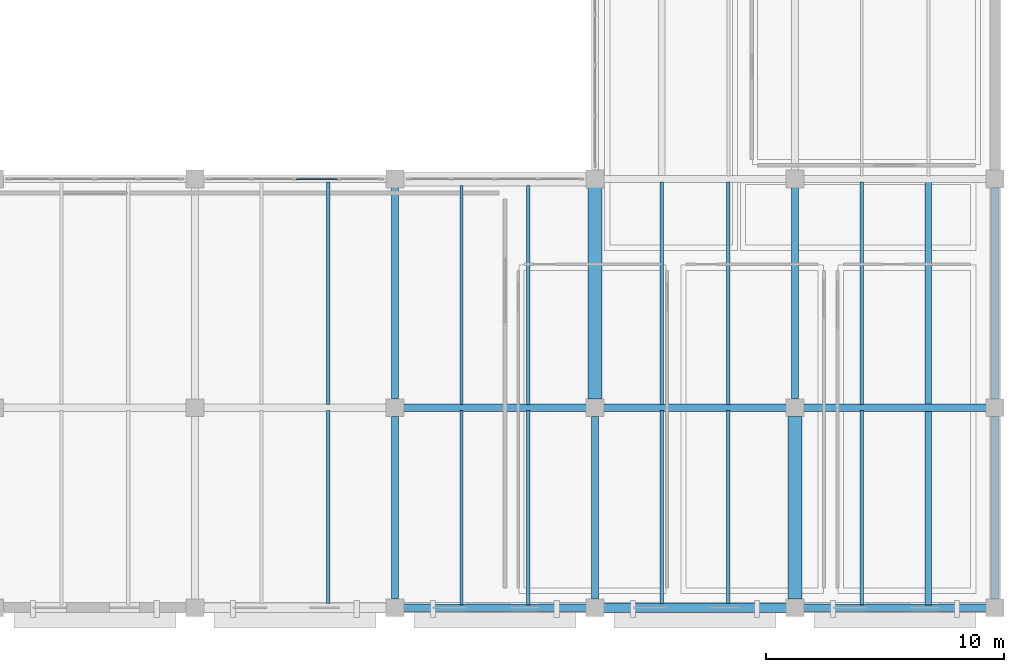
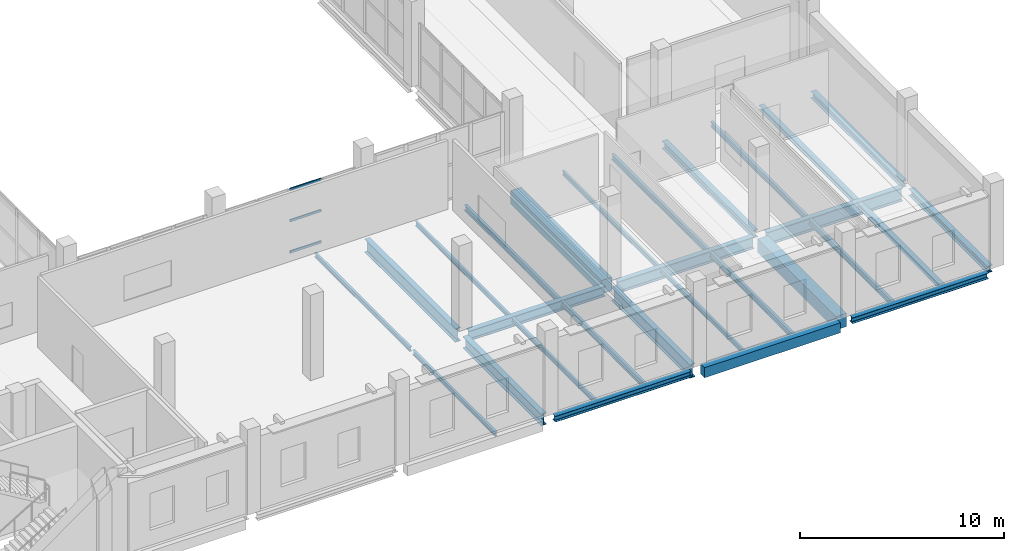
# One storey, part 39 of 77: 28 beams, 3 members, 1 element without a shape of its own.
"""IFC4 building model written with IfcOpenShell, lengths in metres."""

from ifc_helpers import new_model, si_unit, direction, frame, origin, origin_2d, place, context, subcontext, project, spatial, rectangle, hollow_rectangle, i_section, extrude, material, layer, layer_set, material_profile, profile_set, type_object, element, aggregate, save


model = new_model("IFC4")

# Units and contexts
model_context = context("Model", 3, precision=1e-05, world=origin(), true_north=direction((0.0, 1.0)))
body_context = subcontext(model_context, "Body", "Model", "MODEL_VIEW")
ifc_project = project(units=[si_unit("LENGTHUNIT", "METRE"), si_unit("AREAUNIT", "SQUARE_METRE"), si_unit("VOLUMEUNIT", "CUBIC_METRE"), si_unit("PLANEANGLEUNIT", "RADIAN"), si_unit("MASSUNIT", "GRAM", prefix="KILO")], contexts=[model_context])

# Site, building, storey
site_placement = place(None, origin())
site = spatial("IfcSite", under=ifc_project, at=site_placement, CompositionType="ELEMENT")
building_placement = place(site_placement, origin())
building = spatial("IfcBuilding", under=site, at=building_placement, Name="Zulmaris Art Gallery", CompositionType="ELEMENT")
storey_placement = place(building_placement, frame((0.0, 0.0, 15.60009765625)))
storey = spatial("IfcBuildingStorey", under=building, at=storey_placement, Name="L03", CompositionType="ELEMENT", Elevation=15.60009765625)

# Beams
ifc_material_1 = material(Name="Steel S355J2", Category="steel")
ifc_material_profile_1 = material_profile(ifc_material_1, i_section(OverallWidth=0.300048828125, OverallDepth=0.43994140625, WebThickness=0.011474609375, FlangeThickness=0.02099609375, FilletRadius=0.027099609375, at=origin_2d()), Name="HEA 450")
ifc_profile_set_1 = profile_set([ifc_material_profile_1], Name="Steel S355J2")
beam_type_1 = type_object("IfcBeamType", Name="BEAM-BM10", PredefinedType="BEAM", material=ifc_profile_set_1)
beam_1_placement = place(storey_placement, frame((192.0, 21.9599609375, -0.6201171875), z_axis=(0.0, 1.0, 0.0), x_axis=(-1.0, 0.0, 0.0)))
element("IfcBeam", 1, at=beam_1_placement, inside=storey, type_object=beam_type_1, Name="L03 Y-girder (x=192.0, 21.6..31.2)", PredefinedType="BEAM", context=body_context, shape_type="SweptSolid", body=[
    extrude(i_section(OverallWidth=0.300048828125, OverallDepth=0.43994140625, WebThickness=0.011474609375, FlangeThickness=0.02099609375, FilletRadius=0.027099609375, at=origin_2d()), origin(), (0.0, 0.0, 1.0), 8.880126953125),
])
ifc_material_profile_2 = material_profile(ifc_material_1, i_section(OverallWidth=0.300048828125, OverallDepth=0.60009765625, WebThickness=0.015380859375, FlangeThickness=0.030029296875, FilletRadius=0.027099609375, at=origin_2d()), Name="HEB 600")
ifc_profile_set_2 = profile_set([ifc_material_profile_2], Name="Steel S355J2")
beam_type_2 = type_object("IfcBeamType", Name="BEAM-BM15", PredefinedType="BEAM", material=ifc_profile_set_2)
beam_2_placement = place(storey_placement, frame((175.56005859375, 21.60009765625, -0.670166015625), z_axis=(1.0, 0.0, 0.0), x_axis=(0.0, 1.0, 0.0)))
element("IfcBeam", 2, at=beam_2_placement, inside=storey, type_object=beam_type_2, Name="L03 X-girder (175.2..183.6, y=21.6)", PredefinedType="BEAM", context=body_context, shape_type="SweptSolid", body=[
    extrude(i_section(OverallWidth=0.300048828125, OverallDepth=0.60009765625, WebThickness=0.015380859375, FlangeThickness=0.030029296875, FilletRadius=0.027099609375, at=origin_2d()), origin(), (0.0, 0.0, 1.0), 7.679931640625),
])
ifc_material_profile_3 = material_profile(ifc_material_1, i_section(OverallWidth=0.300048828125, OverallDepth=0.699951171875, WebThickness=0.01708984375, FlangeThickness=0.031982421875, FilletRadius=0.027099609375, at=origin_2d()), Name="HEB 700")
ifc_profile_set_3 = profile_set([ifc_material_profile_3], Name="Steel S355J2")
beam_type_3 = type_object("IfcBeamType", Name="BEAM-BM16", PredefinedType="BEAM", material=ifc_profile_set_3)
for number, where, z_axis, x_axis, name in (
    (3, (183.9599609375, 21.60009765625, -0.72021484375), (1.0, 0.0, 0.0), (0.0, 1.0, 0.0), "L03 X-girder (183.6..192.0, y=21.6)"),
    (4, (175.199951171875, 13.56005859375, -0.72021484375), (0.0, 1.0, 0.0), (-1.0, 0.0, 0.0), "L03 Y-girder (x=175.2, 13.2..21.6)"),
):
    element("IfcBeam", number, at=place(storey_placement, frame(where, z_axis=z_axis, x_axis=x_axis)), inside=storey, type_object=beam_type_3, Name=name, PredefinedType="BEAM", context=body_context, shape_type="SweptSolid", body=[
        extrude(i_section(OverallWidth=0.300048828125, OverallDepth=0.699951171875, WebThickness=0.01708984375, FlangeThickness=0.031982421875, FilletRadius=0.027099609375, at=origin_2d()), origin(), (0.0, 0.0, 1.0), 7.679931640625),
    ])
ifc_material_profile_4 = material_profile(ifc_material_1, i_section(OverallWidth=0.300048828125, OverallDepth=0.800048828125, WebThickness=0.017578125, FlangeThickness=0.032958984375, FilletRadius=0.030029296875, at=origin_2d()), Name="HEB 800")
ifc_profile_set_4 = profile_set([ifc_material_profile_4], Name="Steel S355J2")
beam_type_4 = type_object("IfcBeamType", Name="BEAM-BM17", PredefinedType="BEAM", material=ifc_profile_set_4)
beam_3_placement = place(storey_placement, frame((192.360107421875, 21.60009765625, -0.77001953125), z_axis=(1.0, 0.0, 0.0), x_axis=(0.0, 1.0, 0.0)))
element("IfcBeam", 5, at=beam_3_placement, inside=storey, type_object=beam_type_4, Name="L03 X-girder (192.0..200.4, y=21.6)", PredefinedType="BEAM", context=body_context, shape_type="SweptSolid", body=[
    extrude(i_section(OverallWidth=0.300048828125, OverallDepth=0.800048828125, WebThickness=0.017578125, FlangeThickness=0.032958984375, FilletRadius=0.030029296875, at=origin_2d()), origin(), (0.0, 0.0, 1.0), 7.679931640625),
])
beam_4_placement = place(storey_placement, frame((175.199951171875, 21.9599609375, -0.77001953125), z_axis=(0.0, 1.0, 0.0), x_axis=(-1.0, 0.0, 0.0)))
element("IfcBeam", 6, at=beam_4_placement, inside=storey, type_object=beam_type_4, Name="L03 Y-girder (x=175.2, 21.6..31.2)", PredefinedType="BEAM", context=body_context, shape_type="SweptSolid", body=[
    extrude(i_section(OverallWidth=0.300048828125, OverallDepth=0.800048828125, WebThickness=0.017578125, FlangeThickness=0.032958984375, FilletRadius=0.030029296875, at=origin_2d()), origin(), (0.0, 0.0, 1.0), 8.880126953125),
])
beam_5_placement = place(storey_placement, frame((183.60009765625, 13.56005859375, -0.77001953125), z_axis=(0.0, 1.0, 0.0), x_axis=(-1.0, 0.0, 0.0)))
element("IfcBeam", 7, at=beam_5_placement, inside=storey, type_object=beam_type_4, Name="L03 Y-girder (x=183.6, 13.2..21.6)", PredefinedType="BEAM", context=body_context, shape_type="SweptSolid", body=[
    extrude(i_section(OverallWidth=0.300048828125, OverallDepth=0.800048828125, WebThickness=0.017578125, FlangeThickness=0.032958984375, FilletRadius=0.030029296875, at=origin_2d()), origin(), (0.0, 0.0, 1.0), 7.679931640625),
])
ifc_material_2 = material(Name="Concrete C40/50", Category="concrete")
ifc_material_profile_5 = material_profile(ifc_material_2, rectangle(XDim=0.60009765625, YDim=0.800048828125, at=origin_2d()), Name="RC 600x800")
ifc_profile_set_5 = profile_set([ifc_material_profile_5], Name="Concrete C40/50")
beam_type_5 = type_object("IfcBeamType", Name="BEAM-BM27", PredefinedType="BEAM", material=ifc_profile_set_5)
beam_6_placement = place(storey_placement, frame((183.60009765625, 21.9599609375, -0.77001953125), z_axis=(0.0, 1.0, 0.0), x_axis=(-1.0, 0.0, 0.0)))
element("IfcBeam", 8, at=beam_6_placement, inside=storey, type_object=beam_type_5, Name="L03 Y-girder (x=183.6, 21.6..31.2)", PredefinedType="BEAM", context=body_context, shape_type="SweptSolid", body=[
    extrude(rectangle(XDim=0.60009765625, YDim=0.800048828125, at=origin_2d()), origin(), (0.0, 0.0, 1.0), 8.880126953125),
])
beam_7_placement = place(storey_placement, frame((192.0, 13.56005859375, -0.77001953125), z_axis=(0.0, 1.0, 0.0), x_axis=(-1.0, 0.0, 0.0)))
element("IfcBeam", 9, at=beam_7_placement, inside=storey, type_object=beam_type_5, Name="L03 Y-girder (x=192.0, 13.2..21.6)", PredefinedType="BEAM", context=body_context, shape_type="SweptSolid", body=[
    extrude(rectangle(XDim=0.60009765625, YDim=0.800048828125, at=origin_2d()), origin(), (0.0, 0.0, 1.0), 7.679931640625),
])
ifc_material_profile_6 = material_profile(ifc_material_1, i_section(OverallWidth=0.135009765625, OverallDepth=0.27001953125, WebThickness=0.006591796875, FlangeThickness=0.01025390625, FilletRadius=0.014892578125, at=origin_2d()), Name="IPE 270")
ifc_profile_set_6 = profile_set([ifc_material_profile_6], Name="Steel S355J2")
beam_type_6 = type_object("IfcBeamType", Name="BEAM-JS02", PredefinedType="JOIST", material=ifc_profile_set_6)
beam_8_placement = place(storey_placement, frame((172.39990234375, 13.375, -0.505126953125), z_axis=(0.0, 1.0, 0.0), x_axis=(-1.0, 0.0, 0.0)))
element("IfcBeam", 10, at=beam_8_placement, inside=storey, type_object=beam_type_6, Name="L03 secondary joist at x=172.4", PredefinedType="JOIST", context=body_context, shape_type="SweptSolid", body=[
    extrude(i_section(OverallWidth=0.135009765625, OverallDepth=0.27001953125, WebThickness=0.006591796875, FlangeThickness=0.01025390625, FilletRadius=0.014892578125, at=origin_2d()), origin(), (0.0, 0.0, 1.0), 8.10009765625),
])
beam_9_placement = place(storey_placement, frame((172.39990234375, 21.72509765625, -0.505126953125), z_axis=(0.0, 1.0, 0.0), x_axis=(-1.0, 0.0, 0.0)))
element("IfcBeam", 11, at=beam_9_placement, inside=storey, type_object=beam_type_6, Name="L03 secondary joist at x=172.4", PredefinedType="JOIST", context=body_context, shape_type="SweptSolid", body=[
    extrude(i_section(OverallWidth=0.135009765625, OverallDepth=0.27001953125, WebThickness=0.006591796875, FlangeThickness=0.01025390625, FilletRadius=0.014892578125, at=origin_2d()), origin(), (0.0, 0.0, 1.0), 9.349853515625),
])
beam_10_placement = place(storey_placement, frame((178.0, 13.324951171875, -0.505126953125), z_axis=(0.0, 1.0, 0.0), x_axis=(-1.0, 0.0, 0.0)))
element("IfcBeam", 12, at=beam_10_placement, inside=storey, type_object=beam_type_6, Name="L03 secondary joist at x=178.0", PredefinedType="JOIST", context=body_context, shape_type="SweptSolid", body=[
    extrude(i_section(OverallWidth=0.135009765625, OverallDepth=0.27001953125, WebThickness=0.006591796875, FlangeThickness=0.01025390625, FilletRadius=0.014892578125, at=origin_2d()), origin(), (0.0, 0.0, 1.0), 8.150146484375),
])
beam_11_placement = place(storey_placement, frame((178.0, 21.72509765625, -0.505126953125), z_axis=(0.0, 1.0, 0.0), x_axis=(-1.0, 0.0, 0.0)))
element("IfcBeam", 13, at=beam_11_placement, inside=storey, type_object=beam_type_6, Name="L03 secondary joist at x=178.0", PredefinedType="JOIST", context=body_context, shape_type="SweptSolid", body=[
    extrude(i_section(OverallWidth=0.135009765625, OverallDepth=0.27001953125, WebThickness=0.006591796875, FlangeThickness=0.01025390625, FilletRadius=0.014892578125, at=origin_2d()), origin(), (0.0, 0.0, 1.0), 9.199951171875),
])
beam_12_placement = place(storey_placement, frame((186.39990234375, 13.375, -0.505126953125), z_axis=(0.0, 1.0, 0.0), x_axis=(-1.0, 0.0, 0.0)))
element("IfcBeam", 14, at=beam_12_placement, inside=storey, type_object=beam_type_6, Name="L03 secondary joist at x=186.4", PredefinedType="JOIST", context=body_context, shape_type="SweptSolid", body=[
    extrude(i_section(OverallWidth=0.135009765625, OverallDepth=0.27001953125, WebThickness=0.006591796875, FlangeThickness=0.01025390625, FilletRadius=0.014892578125, at=origin_2d()), origin(), (0.0, 0.0, 1.0), 8.10009765625),
])
beam_13_placement = place(storey_placement, frame((186.39990234375, 21.72509765625, -0.505126953125), z_axis=(0.0, 1.0, 0.0), x_axis=(-1.0, 0.0, 0.0)))
element("IfcBeam", 15, at=beam_13_placement, inside=storey, type_object=beam_type_6, Name="L03 secondary joist at x=186.4", PredefinedType="JOIST", context=body_context, shape_type="SweptSolid", body=[
    extrude(i_section(OverallWidth=0.135009765625, OverallDepth=0.27001953125, WebThickness=0.006591796875, FlangeThickness=0.01025390625, FilletRadius=0.014892578125, at=origin_2d()), origin(), (0.0, 0.0, 1.0), 9.349853515625),
])
ifc_material_profile_7 = material_profile(ifc_material_1, i_section(OverallWidth=0.159912109375, OverallDepth=0.330078125, WebThickness=0.007568359375, FlangeThickness=0.011474609375, FilletRadius=0.01806640625, at=origin_2d()), Name="IPE 330")
ifc_profile_set_7 = profile_set([ifc_material_profile_7], Name="Steel S355J2")
beam_type_7 = type_object("IfcBeamType", Name="BEAM-JS03", PredefinedType="JOIST", material=ifc_profile_set_7)
beam_14_placement = place(storey_placement, frame((180.800048828125, 13.324951171875, -0.53515625), z_axis=(0.0, 1.0, 0.0), x_axis=(-1.0, 0.0, 0.0)))
element("IfcBeam", 16, at=beam_14_placement, inside=storey, type_object=beam_type_7, Name="L03 secondary joist at x=180.8", PredefinedType="JOIST", context=body_context, shape_type="SweptSolid", body=[
    extrude(i_section(OverallWidth=0.159912109375, OverallDepth=0.330078125, WebThickness=0.007568359375, FlangeThickness=0.011474609375, FilletRadius=0.01806640625, at=origin_2d()), origin(), (0.0, 0.0, 1.0), 8.150146484375),
])
beam_15_placement = place(storey_placement, frame((180.800048828125, 21.72509765625, -0.53515625), z_axis=(0.0, 1.0, 0.0), x_axis=(-1.0, 0.0, 0.0)))
element("IfcBeam", 17, at=beam_15_placement, inside=storey, type_object=beam_type_7, Name="L03 secondary joist at x=180.8", PredefinedType="JOIST", context=body_context, shape_type="SweptSolid", body=[
    extrude(i_section(OverallWidth=0.159912109375, OverallDepth=0.330078125, WebThickness=0.007568359375, FlangeThickness=0.011474609375, FilletRadius=0.01806640625, at=origin_2d()), origin(), (0.0, 0.0, 1.0), 9.199951171875),
])
beam_16_placement = place(storey_placement, frame((189.199951171875, 13.375, -0.53515625), z_axis=(0.0, 1.0, 0.0), x_axis=(-1.0, 0.0, 0.0)))
element("IfcBeam", 18, at=beam_16_placement, inside=storey, type_object=beam_type_7, Name="L03 secondary joist at x=189.2", PredefinedType="JOIST", context=body_context, shape_type="SweptSolid", body=[
    extrude(i_section(OverallWidth=0.159912109375, OverallDepth=0.330078125, WebThickness=0.007568359375, FlangeThickness=0.011474609375, FilletRadius=0.01806640625, at=origin_2d()), origin(), (0.0, 0.0, 1.0), 8.10009765625),
])
beam_17_placement = place(storey_placement, frame((189.199951171875, 21.72509765625, -0.53515625), z_axis=(0.0, 1.0, 0.0), x_axis=(-1.0, 0.0, 0.0)))
element("IfcBeam", 19, at=beam_17_placement, inside=storey, type_object=beam_type_7, Name="L03 secondary joist at x=189.2", PredefinedType="JOIST", context=body_context, shape_type="SweptSolid", body=[
    extrude(i_section(OverallWidth=0.159912109375, OverallDepth=0.330078125, WebThickness=0.007568359375, FlangeThickness=0.011474609375, FilletRadius=0.01806640625, at=origin_2d()), origin(), (0.0, 0.0, 1.0), 9.349853515625),
])
beam_18_placement = place(storey_placement, frame((194.800048828125, 13.324951171875, -0.53515625), z_axis=(0.0, 1.0, 0.0), x_axis=(-1.0, 0.0, 0.0)))
element("IfcBeam", 20, at=beam_18_placement, inside=storey, type_object=beam_type_7, Name="L03 secondary joist at x=194.8", PredefinedType="JOIST", context=body_context, shape_type="SweptSolid", body=[
    extrude(i_section(OverallWidth=0.159912109375, OverallDepth=0.330078125, WebThickness=0.007568359375, FlangeThickness=0.011474609375, FilletRadius=0.01806640625, at=origin_2d()), origin(), (0.0, 0.0, 1.0), 8.150146484375),
])
beam_19_placement = place(storey_placement, frame((194.800048828125, 21.72509765625, -0.53515625), z_axis=(0.0, 1.0, 0.0), x_axis=(-1.0, 0.0, 0.0)))
element("IfcBeam", 21, at=beam_19_placement, inside=storey, type_object=beam_type_7, Name="L03 secondary joist at x=194.8", PredefinedType="JOIST", context=body_context, shape_type="SweptSolid", body=[
    extrude(i_section(OverallWidth=0.159912109375, OverallDepth=0.330078125, WebThickness=0.007568359375, FlangeThickness=0.011474609375, FilletRadius=0.01806640625, at=origin_2d()), origin(), (0.0, 0.0, 1.0), 9.349853515625),
])
ifc_material_profile_8 = material_profile(ifc_material_1, i_section(OverallWidth=0.280029296875, OverallDepth=0.27001953125, WebThickness=0.008056640625, FlangeThickness=0.012939453125, FilletRadius=0.02392578125, at=origin_2d()), Name="HEA 280")
ifc_profile_set_8 = profile_set([ifc_material_profile_8], Name="Steel S355J2")
beam_type_8 = type_object("IfcBeamType", Name="BEAM-JS04", PredefinedType="JOIST", material=ifc_profile_set_8)
beam_20_placement = place(storey_placement, frame((197.60009765625, 13.324951171875, -0.505126953125), z_axis=(0.0, 1.0, 0.0), x_axis=(-1.0, 0.0, 0.0)))
element("IfcBeam", 22, at=beam_20_placement, inside=storey, type_object=beam_type_8, Name="L03 secondary joist at x=197.6", PredefinedType="JOIST", context=body_context, shape_type="SweptSolid", body=[
    extrude(i_section(OverallWidth=0.280029296875, OverallDepth=0.27001953125, WebThickness=0.008056640625, FlangeThickness=0.012939453125, FilletRadius=0.02392578125, at=origin_2d()), origin(), (0.0, 0.0, 1.0), 8.150146484375),
])
beam_21_placement = place(storey_placement, frame((197.60009765625, 21.72509765625, -0.505126953125), z_axis=(0.0, 1.0, 0.0), x_axis=(-1.0, 0.0, 0.0)))
element("IfcBeam", 23, at=beam_21_placement, inside=storey, type_object=beam_type_8, Name="L03 secondary joist at x=197.6", PredefinedType="JOIST", context=body_context, shape_type="SweptSolid", body=[
    extrude(i_section(OverallWidth=0.280029296875, OverallDepth=0.27001953125, WebThickness=0.008056640625, FlangeThickness=0.012939453125, FilletRadius=0.02392578125, at=origin_2d()), origin(), (0.0, 0.0, 1.0), 9.349853515625),
])
ifc_material_profile_9 = material_profile(ifc_material_1, i_section(OverallWidth=0.300048828125, OverallDepth=0.35009765625, WebThickness=0.010009765625, FlangeThickness=0.017578125, FilletRadius=0.027099609375, at=origin_2d()), Name="HEA 360")
ifc_profile_set_9 = profile_set([ifc_material_profile_9], Name="Steel S355J2")
beam_type_9 = type_object("IfcBeamType", Name="BEAM-SP01", PredefinedType="SPANDREL", material=ifc_profile_set_9)
for number, where, z_axis, x_axis, name in (
    (24, (175.56005859375, 13.199951171875, -0.545166015625), (1.0, 0.0, 0.0), (0.0, 1.0, 0.0), "L03 X-girder (175.2..183.6, y=13.2)"),
    (25, (192.360107421875, 13.199951171875, -0.545166015625), (1.0, 0.0, 0.0), (0.0, 1.0, 0.0), "L03 X-girder (192.0..200.4, y=13.2)"),
):
    element("IfcBeam", number, at=place(storey_placement, frame(where, z_axis=z_axis, x_axis=x_axis)), inside=storey, type_object=beam_type_9, Name=name, PredefinedType="SPANDREL", context=body_context, shape_type="SweptSolid", body=[
        extrude(i_section(OverallWidth=0.300048828125, OverallDepth=0.35009765625, WebThickness=0.010009765625, FlangeThickness=0.017578125, FilletRadius=0.027099609375, at=origin_2d()), origin(), (0.0, 0.0, 1.0), 7.679931640625),
    ])
ifc_material_profile_10 = material_profile(ifc_material_1, i_section(OverallWidth=0.300048828125, OverallDepth=0.39990234375, WebThickness=0.013427734375, FlangeThickness=0.02392578125, FilletRadius=0.027099609375, at=origin_2d()), Name="HEB 400")
ifc_profile_set_10 = profile_set([ifc_material_profile_10], Name="Steel S355J2")
beam_type_10 = type_object("IfcBeamType", Name="BEAM-SP02", PredefinedType="SPANDREL", material=ifc_profile_set_10)
beam_22_placement = place(storey_placement, frame((200.39990234375, 13.56005859375, -0.570068359375), z_axis=(0.0, 1.0, 0.0), x_axis=(-1.0, 0.0, 0.0)))
element("IfcBeam", 26, at=beam_22_placement, inside=storey, type_object=beam_type_10, Name="L03 Y-girder (x=200.4, 13.2..21.6)", PredefinedType="SPANDREL", context=body_context, shape_type="SweptSolid", body=[
    extrude(i_section(OverallWidth=0.300048828125, OverallDepth=0.39990234375, WebThickness=0.013427734375, FlangeThickness=0.02392578125, FilletRadius=0.027099609375, at=origin_2d()), origin(), (0.0, 0.0, 1.0), 7.679931640625),
])
beam_23_placement = place(storey_placement, frame((200.39990234375, 21.9599609375, -0.570068359375), z_axis=(0.0, 1.0, 0.0), x_axis=(-1.0, 0.0, 0.0)))
element("IfcBeam", 27, at=beam_23_placement, inside=storey, type_object=beam_type_10, Name="L03 Y-girder (x=200.4, 21.6..31.2)", PredefinedType="SPANDREL", context=body_context, shape_type="SweptSolid", body=[
    extrude(i_section(OverallWidth=0.300048828125, OverallDepth=0.39990234375, WebThickness=0.013427734375, FlangeThickness=0.02392578125, FilletRadius=0.027099609375, at=origin_2d()), origin(), (0.0, 0.0, 1.0), 8.880126953125),
])
ifc_material_profile_11 = material_profile(ifc_material_2, rectangle(XDim=0.39990234375, YDim=0.60009765625, at=origin_2d()), Name="RC 400x600")
ifc_profile_set_11 = profile_set([ifc_material_profile_11], Name="Concrete C40/50")
beam_type_11 = type_object("IfcBeamType", Name="BEAM-SP03", PredefinedType="SPANDREL", material=ifc_profile_set_11)
beam_24_placement = place(storey_placement, frame((183.9599609375, 13.199951171875, -0.670166015625), z_axis=(1.0, 0.0, 0.0), x_axis=(0.0, 1.0, 0.0)))
element("IfcBeam", 28, at=beam_24_placement, inside=storey, type_object=beam_type_11, Name="L03 X-girder (183.6..192.0, y=13.2)", PredefinedType="SPANDREL", context=body_context, shape_type="SweptSolid", body=[
    extrude(rectangle(XDim=0.39990234375, YDim=0.60009765625, at=origin_2d()), origin(), (0.0, 0.0, 1.0), 7.679931640625),
])

# Curtain wall, members
ifc_material_3 = material(Name="Courtyard Artists Studio Curtain Wall", Category="aluminium")
ifc_layer = layer(ifc_material_3, 0.179931640625)
ifc_layer_set = layer_set([ifc_layer], Name="Courtyard Artists Studio Curtain Wall")
curtain_wall_type = type_object("IfcCurtainWallType", Name="CW-CW04", PredefinedType="NOTDEFINED", material=ifc_layer_set)
curtain_wall_placement = place(storey_placement, origin())
curtain_wall = element("IfcCurtainWall", 29, at=curtain_wall_placement, inside=storey, type_object=curtain_wall_type, Name="L03 curtain wall 156", PredefinedType="NOTDEFINED")
ifc_material_4 = material(Name="Anodised Bronze Aluminium", Category="aluminium")
ifc_material_profile_12 = material_profile(ifc_material_4, hollow_rectangle(XDim=0.06494140625, YDim=0.14990234375, WallThickness=0.00390625, InnerFilletRadius=0.006103515625, OuterFilletRadius=0.010009765625, at=origin_2d()), Name="ALU 65x150x4")
ifc_profile_set_12 = profile_set([ifc_material_profile_12], Name="Anodised Bronze Aluminium")
member_type = type_object("IfcMemberType", Name="CWTRN-01", PredefinedType="USERDEFINED", material=ifc_profile_set_12)
member_1_placement = place(storey_placement, frame((171.03759765625, 31.199951171875, 0.037353515625), z_axis=(1.0, 0.0, 0.0), x_axis=(0.0, 1.0, 0.0)))
member_1 = element("IfcMember", 30, at=member_1_placement, type_object=member_type, Name="CW04 transom 3.1", ObjectType="TRANSOM", PredefinedType="USERDEFINED", context=body_context, shape_type="SweptSolid", body=[
    extrude(hollow_rectangle(XDim=0.06494140625, YDim=0.14990234375, WallThickness=0.00390625, InnerFilletRadius=0.006103515625, OuterFilletRadius=0.010009765625, at=origin_2d()), origin(), (0.0, 0.0, 1.0), 1.7548828125),
])
member_2_placement = place(storey_placement, frame((171.03759765625, 31.199951171875, 1.90478515625), z_axis=(1.0, 0.0, 0.0), x_axis=(0.0, 1.0, 0.0)))
member_2 = element("IfcMember", 31, at=member_2_placement, type_object=member_type, Name="CW04 transom 3.2", ObjectType="TRANSOM", PredefinedType="USERDEFINED", context=body_context, shape_type="SweptSolid", body=[
    extrude(hollow_rectangle(XDim=0.06494140625, YDim=0.14990234375, WallThickness=0.00390625, InnerFilletRadius=0.006103515625, OuterFilletRadius=0.010009765625, at=origin_2d()), origin(), (0.0, 0.0, 1.0), 1.7548828125),
])
member_3_placement = place(storey_placement, frame((171.03759765625, 31.199951171875, 3.7724609375), z_axis=(1.0, 0.0, 0.0), x_axis=(0.0, 1.0, 0.0)))
member_3 = element("IfcMember", 32, at=member_3_placement, type_object=member_type, Name="CW04 transom 3.3", ObjectType="TRANSOM", PredefinedType="USERDEFINED", context=body_context, shape_type="SweptSolid", body=[
    extrude(hollow_rectangle(XDim=0.06494140625, YDim=0.14990234375, WallThickness=0.00390625, InnerFilletRadius=0.006103515625, OuterFilletRadius=0.010009765625, at=origin_2d()), origin(), (0.0, 0.0, 1.0), 1.7548828125),
])
aggregate(curtain_wall, [member_1, member_2, member_3])

save(model, "model.ifc")
